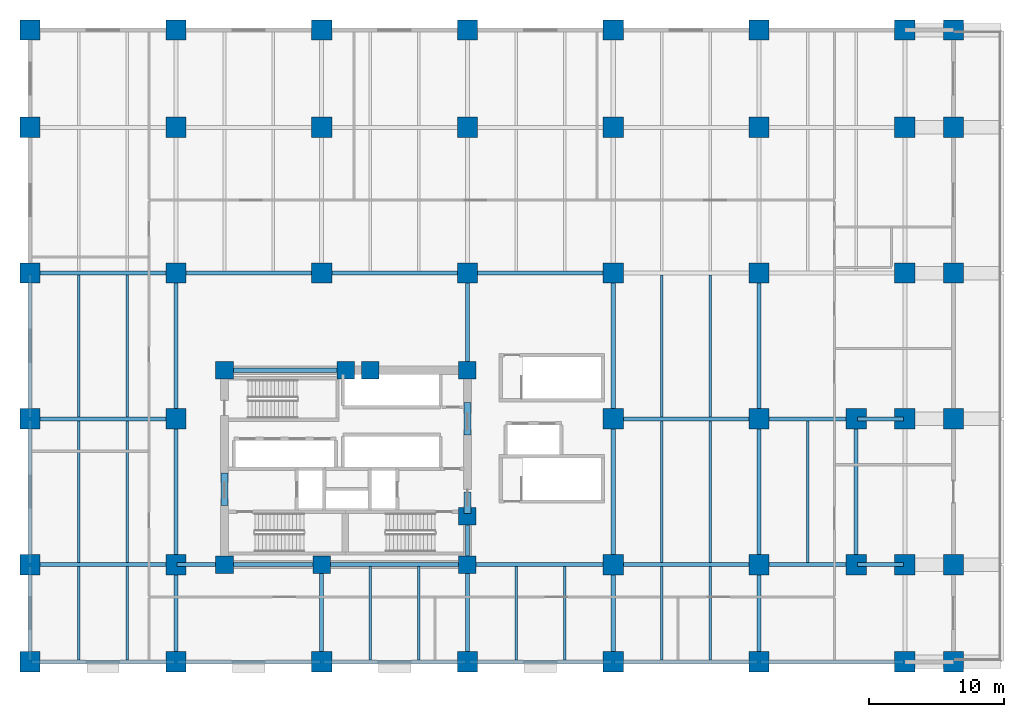
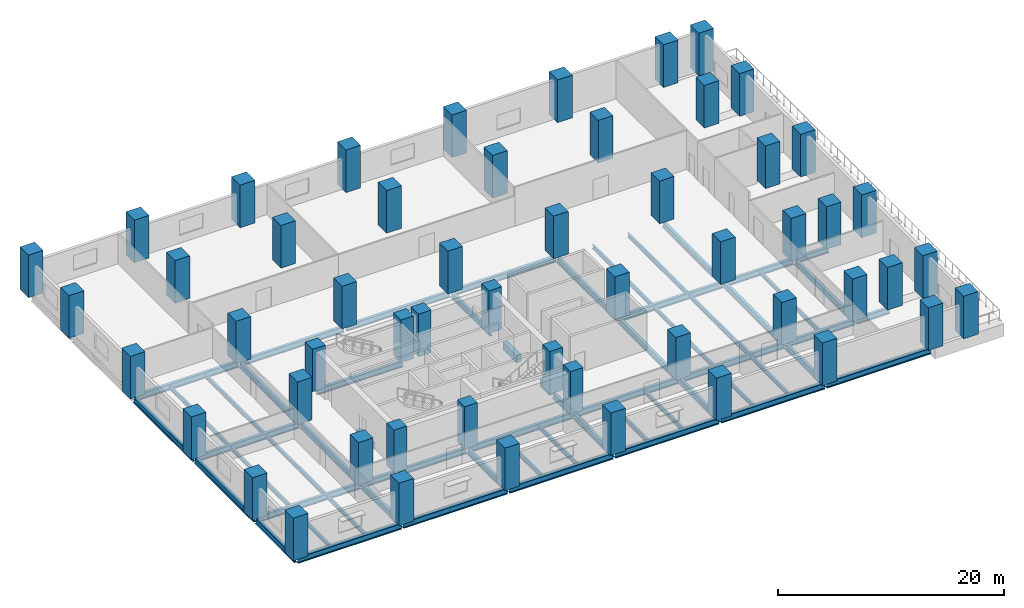
# One storey, part 1 of 8: 60 beams, 54 columns.
"""IFC4 building model written with IfcOpenShell, lengths in metres."""

from ifc_helpers import new_model, si_unit, direction, frame, origin, origin_2d, place, context, subcontext, project, spatial, rectangle, i_section, extrude, material, material_profile, profile_set, type_object, element, save


model = new_model("IFC4")

# Units and contexts
model_context = context("Model", 3, precision=1e-05, world=origin(), true_north=direction((0.0, 1.0)))
body_context = subcontext(model_context, "Body", "Model", "MODEL_VIEW")
ifc_project = project(units=[si_unit("LENGTHUNIT", "METRE"), si_unit("AREAUNIT", "SQUARE_METRE"), si_unit("VOLUMEUNIT", "CUBIC_METRE"), si_unit("PLANEANGLEUNIT", "RADIAN"), si_unit("MASSUNIT", "GRAM", prefix="KILO")], contexts=[model_context])

# Site, building, storey
site_placement = place(None, origin())
site = spatial("IfcSite", under=ifc_project, at=site_placement, CompositionType="ELEMENT")
building_placement = place(site_placement, origin())
building = spatial("IfcBuilding", under=site, at=building_placement, Name="Solnavia Interchange Tower", CompositionType="ELEMENT")
storey_placement = place(building_placement, frame((0.0, 0.0, 19.39990234375)))
storey = spatial("IfcBuildingStorey", under=building, at=storey_placement, Name="L04", CompositionType="ELEMENT", Elevation=19.39990234375)

# Columns
ifc_material_1 = material(Name="Concrete C60/75", Category="concrete")
ifc_material_profile_1 = material_profile(ifc_material_1, rectangle(XDim=1.300048828125, YDim=1.300048828125, at=origin_2d()), Name="RC 1300x1300")
ifc_profile_set_1 = profile_set([ifc_material_profile_1], Name="Concrete C60/75")
column_type_1 = type_object("IfcColumnType", Name="Col-RC-1300x1300", PredefinedType="COLUMN", material=ifc_profile_set_1)
for number, where, z_axis, x_axis, name in (
    (1, (14.39990234375, 10.800048828125, 0.0), (0.0, 0.0, 1.0), (1.0, 0.0, 0.0), "COL-L04-P13 Podium core column"),
    (2, (14.39990234375, 25.199951171875, 0.0), (0.0, 0.0, 1.0), (1.0, 0.0, 0.0), "COL-L04-P14 Podium core column"),
    (3, (21.60009765625, 10.800048828125, 0.0), (0.0, 0.0, 1.0), (1.0, 0.0, 0.0), "COL-L04-P16 Podium core column"),
    (4, (23.39990234375, 25.199951171875, 0.0), (0.0, 0.0, 1.0), (1.0, 0.0, 0.0), "COL-L04-P20 Podium core column"),
    (5, (25.199951171875, 25.199951171875, 0.0), (0.0, 0.0, 1.0), (1.0, 0.0, 0.0), "COL-L04-P21 Podium core column"),
    (6, (32.39990234375, 10.800048828125, 0.0), (0.0, 0.0, 1.0), (1.0, 0.0, 0.0), "COL-L04-P23 Podium core column"),
    (7, (32.39990234375, 14.39990234375, 0.0), (0.0, 0.0, 1.0), (1.0, 0.0, 0.0), "COL-L04-P24 Podium core column"),
    (8, (32.39990234375, 25.199951171875, 0.0), (0.0, 0.0, 1.0), (1.0, 0.0, 0.0), "COL-L04-P25 Podium core column"),
):
    element("IfcColumn", number, at=place(storey_placement, frame(where, z_axis=z_axis, x_axis=x_axis)), inside=storey, type_object=column_type_1, Name=name, PredefinedType="COLUMN", context=body_context, shape_type="SweptSolid", body=[
        extrude(rectangle(XDim=1.300048828125, YDim=1.300048828125, at=origin_2d()), origin(), (0.0, 0.0, 1.0), 4.60009765625),
    ])
ifc_material_profile_2 = material_profile(ifc_material_1, rectangle(XDim=1.5, YDim=1.5, at=origin_2d()), Name="RC 1500x1500")
ifc_profile_set_2 = profile_set([ifc_material_profile_2], Name="Concrete C60/75")
column_type_2 = type_object("IfcColumnType", Name="Col-RC-1500x1500", PredefinedType="COLUMN", material=ifc_profile_set_2)
for number, where, z_axis, x_axis, name in (
    (9, (0.0, 3.60009765625, 0.0), (0.0, 0.0, 1.0), (1.0, 0.0, 0.0), "COL-L04-P01 Podium concourse column"),
    (10, (0.0, 10.800048828125, 0.0), (0.0, 0.0, 1.0), (1.0, 0.0, 0.0), "COL-L04-P02 Podium concourse column"),
    (11, (0.0, 21.60009765625, 0.0), (0.0, 0.0, 1.0), (1.0, 0.0, 0.0), "COL-L04-P03 Podium concourse column"),
    (12, (0.0, 32.39990234375, 0.0), (0.0, 0.0, 1.0), (1.0, 0.0, 0.0), "COL-L04-P04 Podium concourse column"),
    (13, (0.0, 43.199951171875, 0.0), (0.0, 0.0, 1.0), (1.0, 0.0, 0.0), "COL-L04-P05 Podium concourse column"),
    (14, (0.0, 50.39990234375, 0.0), (0.0, 0.0, 1.0), (1.0, 0.0, 0.0), "COL-L04-P06 Podium concourse column"),
    (15, (10.800048828125, 3.60009765625, 0.0), (0.0, 0.0, 1.0), (1.0, 0.0, 0.0), "COL-L04-P07 Podium concourse column"),
    (16, (10.800048828125, 10.800048828125, 0.0), (0.0, 0.0, 1.0), (1.0, 0.0, 0.0), "COL-L04-P08 Podium concourse column"),
    (17, (10.800048828125, 21.60009765625, 0.0), (0.0, 0.0, 1.0), (1.0, 0.0, 0.0), "COL-L04-P09 Podium concourse column"),
    (18, (10.800048828125, 32.39990234375, 0.0), (0.0, 0.0, 1.0), (1.0, 0.0, 0.0), "COL-L04-P10 Podium concourse column"),
    (19, (10.800048828125, 43.199951171875, 0.0), (0.0, 0.0, 1.0), (1.0, 0.0, 0.0), "COL-L04-P11 Podium concourse column"),
    (20, (10.800048828125, 50.39990234375, 0.0), (0.0, 0.0, 1.0), (1.0, 0.0, 0.0), "COL-L04-P12 Podium concourse column"),
    (21, (21.60009765625, 3.60009765625, 0.0), (0.0, 0.0, 1.0), (1.0, 0.0, 0.0), "COL-L04-P15 Podium concourse column"),
    (22, (21.60009765625, 32.39990234375, 0.0), (0.0, 0.0, 1.0), (1.0, 0.0, 0.0), "COL-L04-P17 Podium concourse column"),
    (23, (21.60009765625, 43.199951171875, 0.0), (0.0, 0.0, 1.0), (1.0, 0.0, 0.0), "COL-L04-P18 Podium concourse column"),
    (24, (21.60009765625, 50.39990234375, 0.0), (0.0, 0.0, 1.0), (1.0, 0.0, 0.0), "COL-L04-P19 Podium concourse column"),
    (25, (32.39990234375, 3.60009765625, 0.0), (0.0, 0.0, 1.0), (1.0, 0.0, 0.0), "COL-L04-P22 Podium concourse column"),
    (26, (32.39990234375, 32.39990234375, 0.0), (0.0, 0.0, 1.0), (1.0, 0.0, 0.0), "COL-L04-P26 Podium concourse column"),
    (27, (32.39990234375, 43.199951171875, 0.0), (0.0, 0.0, 1.0), (1.0, 0.0, 0.0), "COL-L04-P27 Podium concourse column"),
    (28, (32.39990234375, 50.39990234375, 0.0), (0.0, 0.0, 1.0), (1.0, 0.0, 0.0), "COL-L04-P28 Podium concourse column"),
    (29, (43.199951171875, 3.60009765625, 0.0), (0.0, 0.0, 1.0), (1.0, 0.0, 0.0), "COL-L04-P29 Podium concourse column"),
    (30, (43.199951171875, 10.800048828125, 0.0), (0.0, 0.0, 1.0), (1.0, 0.0, 0.0), "COL-L04-P30 Podium concourse column"),
    (31, (43.199951171875, 21.60009765625, 0.0), (0.0, 0.0, 1.0), (1.0, 0.0, 0.0), "COL-L04-P31 Podium concourse column"),
    (32, (43.199951171875, 32.39990234375, 0.0), (0.0, 0.0, 1.0), (1.0, 0.0, 0.0), "COL-L04-P32 Podium concourse column"),
    (33, (43.199951171875, 43.199951171875, 0.0), (0.0, 0.0, 1.0), (1.0, 0.0, 0.0), "COL-L04-P33 Podium concourse column"),
    (34, (43.199951171875, 50.39990234375, 0.0), (0.0, 0.0, 1.0), (1.0, 0.0, 0.0), "COL-L04-P34 Podium concourse column"),
    (35, (54.0, 3.60009765625, 0.0), (0.0, 0.0, 1.0), (1.0, 0.0, 0.0), "COL-L04-P35 Podium concourse column"),
    (36, (54.0, 10.800048828125, 0.0), (0.0, 0.0, 1.0), (1.0, 0.0, 0.0), "COL-L04-P36 Podium concourse column"),
    (37, (54.0, 21.60009765625, 0.0), (0.0, 0.0, 1.0), (1.0, 0.0, 0.0), "COL-L04-P37 Podium concourse column"),
    (38, (54.0, 32.39990234375, 0.0), (0.0, 0.0, 1.0), (1.0, 0.0, 0.0), "COL-L04-P38 Podium concourse column"),
    (39, (54.0, 43.199951171875, 0.0), (0.0, 0.0, 1.0), (1.0, 0.0, 0.0), "COL-L04-P39 Podium concourse column"),
    (40, (54.0, 50.39990234375, 0.0), (0.0, 0.0, 1.0), (1.0, 0.0, 0.0), "COL-L04-P40 Podium concourse column"),
    (41, (61.199951171875, 10.800048828125, 0.0), (0.0, 0.0, 1.0), (1.0, 0.0, 0.0), "COL-L04-P41 Podium concourse column"),
    (42, (61.199951171875, 21.60009765625, 0.0), (0.0, 0.0, 1.0), (1.0, 0.0, 0.0), "COL-L04-P42 Podium concourse column"),
    (43, (64.800048828125, 3.60009765625, 0.0), (0.0, 0.0, 1.0), (1.0, 0.0, 0.0), "COL-L04-P43 Podium concourse column"),
    (44, (64.800048828125, 10.800048828125, 0.0), (0.0, 0.0, 1.0), (1.0, 0.0, 0.0), "COL-L04-P44 Podium concourse column"),
    (45, (64.800048828125, 21.60009765625, 0.0), (0.0, 0.0, 1.0), (1.0, 0.0, 0.0), "COL-L04-P45 Podium concourse column"),
    (46, (64.800048828125, 32.39990234375, 0.0), (0.0, 0.0, 1.0), (1.0, 0.0, 0.0), "COL-L04-P46 Podium concourse column"),
    (47, (64.800048828125, 43.199951171875, 0.0), (0.0, 0.0, 1.0), (1.0, 0.0, 0.0), "COL-L04-P47 Podium concourse column"),
    (48, (64.800048828125, 50.39990234375, 0.0), (0.0, 0.0, 1.0), (1.0, 0.0, 0.0), "COL-L04-P48 Podium concourse column"),
    (49, (68.39990234375, 3.60009765625, 0.0), (0.0, 0.0, 1.0), (1.0, 0.0, 0.0), "COL-L04-P49 Podium concourse column"),
    (50, (68.39990234375, 10.800048828125, 0.0), (0.0, 0.0, 1.0), (1.0, 0.0, 0.0), "COL-L04-P50 Podium concourse column"),
    (51, (68.39990234375, 21.60009765625, 0.0), (0.0, 0.0, 1.0), (1.0, 0.0, 0.0), "COL-L04-P51 Podium concourse column"),
    (52, (68.39990234375, 32.39990234375, 0.0), (0.0, 0.0, 1.0), (1.0, 0.0, 0.0), "COL-L04-P52 Podium concourse column"),
    (53, (68.39990234375, 43.199951171875, 0.0), (0.0, 0.0, 1.0), (1.0, 0.0, 0.0), "COL-L04-P53 Podium concourse column"),
    (54, (68.39990234375, 50.39990234375, 0.0), (0.0, 0.0, 1.0), (1.0, 0.0, 0.0), "COL-L04-P54 Podium concourse column"),
):
    element("IfcColumn", number, at=place(storey_placement, frame(where, z_axis=z_axis, x_axis=x_axis)), inside=storey, type_object=column_type_2, Name=name, PredefinedType="COLUMN", context=body_context, shape_type="SweptSolid", body=[
        extrude(rectangle(XDim=1.5, YDim=1.5, at=origin_2d()), origin(), (0.0, 0.0, 1.0), 4.60009765625),
    ])

# Beams
ifc_material_2 = material(Name="Concrete C50/60", Category="concrete")
ifc_material_profile_3 = material_profile(ifc_material_2, rectangle(XDim=0.5, YDim=0.800048828125, at=origin_2d()), Name="RC 500x800")
ifc_profile_set_3 = profile_set([ifc_material_profile_3], Name="Concrete C50/60")
beam_type_1 = type_object("IfcBeamType", Name="Beam-Coupling-RC500x800", PredefinedType="LINTEL", material=ifc_profile_set_3)
beam_1_placement = place(storey_placement, frame((14.39990234375, 15.199951171875, -0.39990234375), z_axis=(0.0, 1.0, 0.0), x_axis=(-1.0, 0.0, 0.0)))
element("IfcBeam", 55, at=beam_1_placement, inside=storey, type_object=beam_type_1, Name="CPB-L04-W1 Core coupling lintel beam", PredefinedType="LINTEL", context=body_context, shape_type="SweptSolid", body=[
    extrude(rectangle(XDim=0.5, YDim=0.800048828125, at=origin_2d()), origin(), (0.0, 0.0, 1.0), 2.400146484375),
])
beam_2_placement = place(storey_placement, frame((32.39990234375, 14.60009765625, -0.39990234375), z_axis=(0.0, 1.0, 0.0), x_axis=(-1.0, 0.0, 0.0)))
element("IfcBeam", 56, at=beam_2_placement, inside=storey, type_object=beam_type_1, Name="CPB-L04-E1 Core coupling lintel beam", PredefinedType="LINTEL", context=body_context, shape_type="SweptSolid", body=[
    extrude(rectangle(XDim=0.5, YDim=0.800048828125, at=origin_2d()), origin(), (0.0, 0.0, 1.0), 1.599853515625),
])
beam_3_placement = place(storey_placement, frame((32.39990234375, 20.39990234375, -0.39990234375), z_axis=(0.0, 1.0, 0.0), x_axis=(-1.0, 0.0, 0.0)))
element("IfcBeam", 57, at=beam_3_placement, inside=storey, type_object=beam_type_1, Name="CPB-L04-E2 Core coupling lintel beam", PredefinedType="LINTEL", context=body_context, shape_type="SweptSolid", body=[
    extrude(rectangle(XDim=0.5, YDim=0.800048828125, at=origin_2d()), origin(), (0.0, 0.0, 1.0), 2.400146484375),
])
ifc_material_3 = material(Name="Steel S460", Category="steel")
ifc_material_profile_4 = material_profile(ifc_material_3, i_section(OverallWidth=0.300048828125, OverallDepth=0.64990234375, WebThickness=0.01611328125, FlangeThickness=0.031005859375, FilletRadius=0.027099609375, at=origin_2d()), Name="HEB 650")
ifc_profile_set_4 = profile_set([ifc_material_profile_4], Name="Steel S460")
beam_type_2 = type_object("IfcBeamType", Name="Beam-Girder-HEB650", PredefinedType="BEAM", material=ifc_profile_set_4)
beam_4_placement = place(storey_placement, frame((0.10009765625, 3.60009765625, -0.625), z_axis=(1.0, 0.0, 0.0), x_axis=(0.0, 1.0, 0.0)))
element("IfcBeam", 58, at=beam_4_placement, inside=storey, type_object=beam_type_2, Name="GRD-L04-01 Podium primary girder", PredefinedType="BEAM", context=body_context, shape_type="SweptSolid", body=[
    extrude(i_section(OverallWidth=0.300048828125, OverallDepth=0.64990234375, WebThickness=0.01611328125, FlangeThickness=0.031005859375, FilletRadius=0.027099609375, at=origin_2d()), origin(), (0.0, 0.0, 1.0), 10.599853515625),
])
for number, where, z_axis, x_axis, name in (
    (59, (10.89990234375, 3.60009765625, -0.625), (1.0, 0.0, 0.0), (0.0, 1.0, 0.0), "GRD-L04-02 Podium primary girder"),
    (60, (21.699951171875, 3.60009765625, -0.625), (1.0, 0.0, 0.0), (0.0, 1.0, 0.0), "GRD-L04-03 Podium primary girder"),
    (61, (32.5, 3.60009765625, -0.625), (1.0, 0.0, 0.0), (0.0, 1.0, 0.0), "GRD-L04-04 Podium primary girder"),
):
    element("IfcBeam", number, at=place(storey_placement, frame(where, z_axis=z_axis, x_axis=x_axis)), inside=storey, type_object=beam_type_2, Name=name, PredefinedType="BEAM", context=body_context, shape_type="SweptSolid", body=[
        extrude(i_section(OverallWidth=0.300048828125, OverallDepth=0.64990234375, WebThickness=0.01611328125, FlangeThickness=0.031005859375, FilletRadius=0.027099609375, at=origin_2d()), origin(), (0.0, 0.0, 1.0), 10.60009765625),
    ])
for number, where, z_axis, x_axis, name in (
    (62, (43.300048828125, 3.60009765625, -0.625), (1.0, 0.0, 0.0), (0.0, 1.0, 0.0), "GRD-L04-05 Podium primary girder"),
    (63, (54.10009765625, 3.60009765625, -0.625), (1.0, 0.0, 0.0), (0.0, 1.0, 0.0), "GRD-L04-06 Podium primary girder"),
    (64, (0.10009765625, 10.800048828125, -0.625), (1.0, 0.0, 0.0), (0.0, 1.0, 0.0), "GRD-L04-07 Podium primary girder"),
):
    element("IfcBeam", number, at=place(storey_placement, frame(where, z_axis=z_axis, x_axis=x_axis)), inside=storey, type_object=beam_type_2, Name=name, PredefinedType="BEAM", context=body_context, shape_type="SweptSolid", body=[
        extrude(i_section(OverallWidth=0.300048828125, OverallDepth=0.64990234375, WebThickness=0.01611328125, FlangeThickness=0.031005859375, FilletRadius=0.027099609375, at=origin_2d()), origin(), (0.0, 0.0, 1.0), 10.599853515625),
    ])
beam_5_placement = place(storey_placement, frame((10.89990234375, 10.800048828125, -0.625), z_axis=(1.0, 0.0, 0.0), x_axis=(0.0, 1.0, 0.0)))
element("IfcBeam", 65, at=beam_5_placement, inside=storey, type_object=beam_type_2, Name="GRD-L04-08 Podium primary girder", PredefinedType="BEAM", context=body_context, shape_type="SweptSolid", body=[
    extrude(i_section(OverallWidth=0.300048828125, OverallDepth=0.64990234375, WebThickness=0.01611328125, FlangeThickness=0.031005859375, FilletRadius=0.027099609375, at=origin_2d()), origin(), (0.0, 0.0, 1.0), 3.400146484375),
])
beam_6_placement = place(storey_placement, frame((14.5, 10.800048828125, -0.625), z_axis=(1.0, 0.0, 0.0), x_axis=(0.0, 1.0, 0.0)))
element("IfcBeam", 66, at=beam_6_placement, inside=storey, type_object=beam_type_2, Name="GRD-L04-09 Podium primary girder", PredefinedType="BEAM", context=body_context, shape_type="SweptSolid", body=[
    extrude(i_section(OverallWidth=0.300048828125, OverallDepth=0.64990234375, WebThickness=0.01611328125, FlangeThickness=0.031005859375, FilletRadius=0.027099609375, at=origin_2d()), origin(), (0.0, 0.0, 1.0), 7.0),
])
for number, where, z_axis, x_axis, name in (
    (67, (21.699951171875, 10.800048828125, -0.625), (1.0, 0.0, 0.0), (0.0, 1.0, 0.0), "GRD-L04-10 Podium primary girder"),
    (68, (32.5, 10.800048828125, -0.625), (1.0, 0.0, 0.0), (0.0, 1.0, 0.0), "GRD-L04-11 Podium primary girder"),
):
    element("IfcBeam", number, at=place(storey_placement, frame(where, z_axis=z_axis, x_axis=x_axis)), inside=storey, type_object=beam_type_2, Name=name, PredefinedType="BEAM", context=body_context, shape_type="SweptSolid", body=[
        extrude(i_section(OverallWidth=0.300048828125, OverallDepth=0.64990234375, WebThickness=0.01611328125, FlangeThickness=0.031005859375, FilletRadius=0.027099609375, at=origin_2d()), origin(), (0.0, 0.0, 1.0), 10.60009765625),
    ])
beam_7_placement = place(storey_placement, frame((43.300048828125, 10.800048828125, -0.625), z_axis=(1.0, 0.0, 0.0), x_axis=(0.0, 1.0, 0.0)))
element("IfcBeam", 69, at=beam_7_placement, inside=storey, type_object=beam_type_2, Name="GRD-L04-12 Podium primary girder", PredefinedType="BEAM", context=body_context, shape_type="SweptSolid", body=[
    extrude(i_section(OverallWidth=0.300048828125, OverallDepth=0.64990234375, WebThickness=0.01611328125, FlangeThickness=0.031005859375, FilletRadius=0.027099609375, at=origin_2d()), origin(), (0.0, 0.0, 1.0), 10.599853515625),
])
beam_8_placement = place(storey_placement, frame((54.10009765625, 10.800048828125, -0.625), z_axis=(1.0, 0.0, 0.0), x_axis=(0.0, 1.0, 0.0)))
element("IfcBeam", 70, at=beam_8_placement, inside=storey, type_object=beam_type_2, Name="GRD-L04-13 Podium primary girder", PredefinedType="BEAM", context=body_context, shape_type="SweptSolid", body=[
    extrude(i_section(OverallWidth=0.300048828125, OverallDepth=0.64990234375, WebThickness=0.01611328125, FlangeThickness=0.031005859375, FilletRadius=0.027099609375, at=origin_2d()), origin(), (0.0, 0.0, 1.0), 7.0),
])
beam_9_placement = place(storey_placement, frame((61.300048828125, 10.800048828125, -0.625), z_axis=(1.0, 0.0, 0.0), x_axis=(0.0, 1.0, 0.0)))
element("IfcBeam", 71, at=beam_9_placement, inside=storey, type_object=beam_type_2, Name="GRD-L04-14 Podium primary girder", PredefinedType="BEAM", context=body_context, shape_type="SweptSolid", body=[
    extrude(i_section(OverallWidth=0.300048828125, OverallDepth=0.64990234375, WebThickness=0.01611328125, FlangeThickness=0.031005859375, FilletRadius=0.027099609375, at=origin_2d()), origin(), (0.0, 0.0, 1.0), 3.39990234375),
])
for number, where, z_axis, x_axis, name in (
    (72, (0.10009765625, 21.60009765625, -0.625), (1.0, 0.0, 0.0), (0.0, 1.0, 0.0), "GRD-L04-15 Podium primary girder"),
    (73, (43.300048828125, 21.60009765625, -0.625), (1.0, 0.0, 0.0), (0.0, 1.0, 0.0), "GRD-L04-16 Podium primary girder"),
):
    element("IfcBeam", number, at=place(storey_placement, frame(where, z_axis=z_axis, x_axis=x_axis)), inside=storey, type_object=beam_type_2, Name=name, PredefinedType="BEAM", context=body_context, shape_type="SweptSolid", body=[
        extrude(i_section(OverallWidth=0.300048828125, OverallDepth=0.64990234375, WebThickness=0.01611328125, FlangeThickness=0.031005859375, FilletRadius=0.027099609375, at=origin_2d()), origin(), (0.0, 0.0, 1.0), 10.599853515625),
    ])
beam_10_placement = place(storey_placement, frame((54.10009765625, 21.60009765625, -0.625), z_axis=(1.0, 0.0, 0.0), x_axis=(0.0, 1.0, 0.0)))
element("IfcBeam", 74, at=beam_10_placement, inside=storey, type_object=beam_type_2, Name="GRD-L04-17 Podium primary girder", PredefinedType="BEAM", context=body_context, shape_type="SweptSolid", body=[
    extrude(i_section(OverallWidth=0.300048828125, OverallDepth=0.64990234375, WebThickness=0.01611328125, FlangeThickness=0.031005859375, FilletRadius=0.027099609375, at=origin_2d()), origin(), (0.0, 0.0, 1.0), 7.0),
])
beam_11_placement = place(storey_placement, frame((61.300048828125, 21.60009765625, -0.625), z_axis=(1.0, 0.0, 0.0), x_axis=(0.0, 1.0, 0.0)))
element("IfcBeam", 75, at=beam_11_placement, inside=storey, type_object=beam_type_2, Name="GRD-L04-18 Podium primary girder", PredefinedType="BEAM", context=body_context, shape_type="SweptSolid", body=[
    extrude(i_section(OverallWidth=0.300048828125, OverallDepth=0.64990234375, WebThickness=0.01611328125, FlangeThickness=0.031005859375, FilletRadius=0.027099609375, at=origin_2d()), origin(), (0.0, 0.0, 1.0), 3.39990234375),
])
beam_12_placement = place(storey_placement, frame((14.5, 25.199951171875, -0.625), z_axis=(1.0, 0.0, 0.0), x_axis=(0.0, 1.0, 0.0)))
element("IfcBeam", 76, at=beam_12_placement, inside=storey, type_object=beam_type_2, Name="GRD-L04-19 Podium primary girder", PredefinedType="BEAM", context=body_context, shape_type="SweptSolid", body=[
    extrude(i_section(OverallWidth=0.300048828125, OverallDepth=0.64990234375, WebThickness=0.01611328125, FlangeThickness=0.031005859375, FilletRadius=0.027099609375, at=origin_2d()), origin(), (0.0, 0.0, 1.0), 8.800048828125),
])
beam_13_placement = place(storey_placement, frame((0.10009765625, 32.39990234375, -0.625), z_axis=(1.0, 0.0, 0.0), x_axis=(0.0, 1.0, 0.0)))
element("IfcBeam", 77, at=beam_13_placement, inside=storey, type_object=beam_type_2, Name="GRD-L04-20 Podium primary girder", PredefinedType="BEAM", context=body_context, shape_type="SweptSolid", body=[
    extrude(i_section(OverallWidth=0.300048828125, OverallDepth=0.64990234375, WebThickness=0.01611328125, FlangeThickness=0.031005859375, FilletRadius=0.027099609375, at=origin_2d()), origin(), (0.0, 0.0, 1.0), 10.599853515625),
])
for number, where, z_axis, x_axis, name in (
    (78, (10.89990234375, 32.39990234375, -0.625), (1.0, 0.0, 0.0), (0.0, 1.0, 0.0), "GRD-L04-21 Podium primary girder"),
    (79, (21.699951171875, 32.39990234375, -0.625), (1.0, 0.0, 0.0), (0.0, 1.0, 0.0), "GRD-L04-22 Podium primary girder"),
    (80, (32.5, 32.39990234375, -0.625), (1.0, 0.0, 0.0), (0.0, 1.0, 0.0), "GRD-L04-23 Podium primary girder"),
):
    element("IfcBeam", number, at=place(storey_placement, frame(where, z_axis=z_axis, x_axis=x_axis)), inside=storey, type_object=beam_type_2, Name=name, PredefinedType="BEAM", context=body_context, shape_type="SweptSolid", body=[
        extrude(i_section(OverallWidth=0.300048828125, OverallDepth=0.64990234375, WebThickness=0.01611328125, FlangeThickness=0.031005859375, FilletRadius=0.027099609375, at=origin_2d()), origin(), (0.0, 0.0, 1.0), 10.60009765625),
    ])
beam_14_placement = place(storey_placement, frame((0.0, 3.699951171875, -0.625), z_axis=(0.0, 1.0, 0.0), x_axis=(-1.0, 0.0, 0.0)))
element("IfcBeam", 81, at=beam_14_placement, inside=storey, type_object=beam_type_2, Name="GRD-L04-38 Podium primary girder", PredefinedType="BEAM", context=body_context, shape_type="SweptSolid", body=[
    extrude(i_section(OverallWidth=0.300048828125, OverallDepth=0.64990234375, WebThickness=0.01611328125, FlangeThickness=0.031005859375, FilletRadius=0.027099609375, at=origin_2d()), origin(), (0.0, 0.0, 1.0), 7.0),
])
for number, where, z_axis, x_axis, name in (
    (82, (0.0, 10.89990234375, -0.625), (0.0, 1.0, 0.0), (-1.0, 0.0, 0.0), "GRD-L04-39 Podium primary girder"),
    (83, (0.0, 21.699951171875, -0.625), (0.0, 1.0, 0.0), (-1.0, 0.0, 0.0), "GRD-L04-40 Podium primary girder"),
):
    element("IfcBeam", number, at=place(storey_placement, frame(where, z_axis=z_axis, x_axis=x_axis)), inside=storey, type_object=beam_type_2, Name=name, PredefinedType="BEAM", context=body_context, shape_type="SweptSolid", body=[
        extrude(i_section(OverallWidth=0.300048828125, OverallDepth=0.64990234375, WebThickness=0.01611328125, FlangeThickness=0.031005859375, FilletRadius=0.027099609375, at=origin_2d()), origin(), (0.0, 0.0, 1.0), 10.60009765625),
    ])
beam_15_placement = place(storey_placement, frame((10.800048828125, 3.699951171875, -0.625), z_axis=(0.0, 1.0, 0.0), x_axis=(-1.0, 0.0, 0.0)))
element("IfcBeam", 84, at=beam_15_placement, inside=storey, type_object=beam_type_2, Name="GRD-L04-43 Podium primary girder", PredefinedType="BEAM", context=body_context, shape_type="SweptSolid", body=[
    extrude(i_section(OverallWidth=0.300048828125, OverallDepth=0.64990234375, WebThickness=0.01611328125, FlangeThickness=0.031005859375, FilletRadius=0.027099609375, at=origin_2d()), origin(), (0.0, 0.0, 1.0), 7.0),
])
for number, where, z_axis, x_axis, name in (
    (85, (10.800048828125, 10.89990234375, -0.625), (0.0, 1.0, 0.0), (-1.0, 0.0, 0.0), "GRD-L04-44 Podium primary girder"),
    (86, (10.800048828125, 21.699951171875, -0.625), (0.0, 1.0, 0.0), (-1.0, 0.0, 0.0), "GRD-L04-45 Podium primary girder"),
):
    element("IfcBeam", number, at=place(storey_placement, frame(where, z_axis=z_axis, x_axis=x_axis)), inside=storey, type_object=beam_type_2, Name=name, PredefinedType="BEAM", context=body_context, shape_type="SweptSolid", body=[
        extrude(i_section(OverallWidth=0.300048828125, OverallDepth=0.64990234375, WebThickness=0.01611328125, FlangeThickness=0.031005859375, FilletRadius=0.027099609375, at=origin_2d()), origin(), (0.0, 0.0, 1.0), 10.60009765625),
    ])
for number, where, z_axis, x_axis, name in (
    (87, (21.60009765625, 3.699951171875, -0.625), (0.0, 1.0, 0.0), (-1.0, 0.0, 0.0), "GRD-L04-48 Podium primary girder"),
    (88, (32.39990234375, 3.699951171875, -0.625), (0.0, 1.0, 0.0), (-1.0, 0.0, 0.0), "GRD-L04-51 Podium primary girder"),
):
    element("IfcBeam", number, at=place(storey_placement, frame(where, z_axis=z_axis, x_axis=x_axis)), inside=storey, type_object=beam_type_2, Name=name, PredefinedType="BEAM", context=body_context, shape_type="SweptSolid", body=[
        extrude(i_section(OverallWidth=0.300048828125, OverallDepth=0.64990234375, WebThickness=0.01611328125, FlangeThickness=0.031005859375, FilletRadius=0.027099609375, at=origin_2d()), origin(), (0.0, 0.0, 1.0), 7.0),
    ])
beam_16_placement = place(storey_placement, frame((32.39990234375, 10.89990234375, -0.625), z_axis=(0.0, 1.0, 0.0), x_axis=(-1.0, 0.0, 0.0)))
element("IfcBeam", 89, at=beam_16_placement, inside=storey, type_object=beam_type_2, Name="GRD-L04-52 Podium primary girder", PredefinedType="BEAM", context=body_context, shape_type="SweptSolid", body=[
    extrude(i_section(OverallWidth=0.300048828125, OverallDepth=0.64990234375, WebThickness=0.01611328125, FlangeThickness=0.031005859375, FilletRadius=0.027099609375, at=origin_2d()), origin(), (0.0, 0.0, 1.0), 3.400146484375),
])
for number, where, z_axis, x_axis, name in (
    (90, (32.39990234375, 25.300048828125, -0.625), (0.0, 1.0, 0.0), (-1.0, 0.0, 0.0), "GRD-L04-53 Podium primary girder"),
    (91, (43.199951171875, 3.699951171875, -0.625), (0.0, 1.0, 0.0), (-1.0, 0.0, 0.0), "GRD-L04-56 Podium primary girder"),
):
    element("IfcBeam", number, at=place(storey_placement, frame(where, z_axis=z_axis, x_axis=x_axis)), inside=storey, type_object=beam_type_2, Name=name, PredefinedType="BEAM", context=body_context, shape_type="SweptSolid", body=[
        extrude(i_section(OverallWidth=0.300048828125, OverallDepth=0.64990234375, WebThickness=0.01611328125, FlangeThickness=0.031005859375, FilletRadius=0.027099609375, at=origin_2d()), origin(), (0.0, 0.0, 1.0), 7.0),
    ])
for number, where, z_axis, x_axis, name in (
    (92, (43.199951171875, 10.89990234375, -0.625), (0.0, 1.0, 0.0), (-1.0, 0.0, 0.0), "GRD-L04-57 Podium primary girder"),
    (93, (43.199951171875, 21.699951171875, -0.625), (0.0, 1.0, 0.0), (-1.0, 0.0, 0.0), "GRD-L04-58 Podium primary girder"),
):
    element("IfcBeam", number, at=place(storey_placement, frame(where, z_axis=z_axis, x_axis=x_axis)), inside=storey, type_object=beam_type_2, Name=name, PredefinedType="BEAM", context=body_context, shape_type="SweptSolid", body=[
        extrude(i_section(OverallWidth=0.300048828125, OverallDepth=0.64990234375, WebThickness=0.01611328125, FlangeThickness=0.031005859375, FilletRadius=0.027099609375, at=origin_2d()), origin(), (0.0, 0.0, 1.0), 10.60009765625),
    ])
beam_17_placement = place(storey_placement, frame((54.0, 3.699951171875, -0.625), z_axis=(0.0, 1.0, 0.0), x_axis=(-1.0, 0.0, 0.0)))
element("IfcBeam", 94, at=beam_17_placement, inside=storey, type_object=beam_type_2, Name="GRD-L04-61 Podium primary girder", PredefinedType="BEAM", context=body_context, shape_type="SweptSolid", body=[
    extrude(i_section(OverallWidth=0.300048828125, OverallDepth=0.64990234375, WebThickness=0.01611328125, FlangeThickness=0.031005859375, FilletRadius=0.027099609375, at=origin_2d()), origin(), (0.0, 0.0, 1.0), 7.0),
])
for number, where, z_axis, x_axis, name in (
    (95, (54.0, 10.89990234375, -0.625), (0.0, 1.0, 0.0), (-1.0, 0.0, 0.0), "GRD-L04-62 Podium primary girder"),
    (96, (54.0, 21.699951171875, -0.625), (0.0, 1.0, 0.0), (-1.0, 0.0, 0.0), "GRD-L04-63 Podium primary girder"),
    (97, (61.199951171875, 10.89990234375, -0.625), (0.0, 1.0, 0.0), (-1.0, 0.0, 0.0), "GRD-L04-66 Podium primary girder"),
):
    element("IfcBeam", number, at=place(storey_placement, frame(where, z_axis=z_axis, x_axis=x_axis)), inside=storey, type_object=beam_type_2, Name=name, PredefinedType="BEAM", context=body_context, shape_type="SweptSolid", body=[
        extrude(i_section(OverallWidth=0.300048828125, OverallDepth=0.64990234375, WebThickness=0.01611328125, FlangeThickness=0.031005859375, FilletRadius=0.027099609375, at=origin_2d()), origin(), (0.0, 0.0, 1.0), 10.60009765625),
    ])
ifc_material_4 = material(Name="Steel S355", Category="steel")
ifc_material_profile_5 = material_profile(ifc_material_4, i_section(OverallWidth=0.18994140625, OverallDepth=0.449951171875, WebThickness=0.009521484375, FlangeThickness=0.0146484375, FilletRadius=0.02099609375, at=origin_2d()), Name="IPE 450")
ifc_profile_set_5 = profile_set([ifc_material_profile_5], Name="Steel S355")
beam_type_3 = type_object("IfcBeamType", Name="Beam-Joist-IPE450", PredefinedType="JOIST", material=ifc_profile_set_5)
beam_18_placement = place(storey_placement, frame((3.60009765625, 3.75, -0.52490234375), z_axis=(0.0, 1.0, 0.0), x_axis=(-1.0, 0.0, 0.0)))
element("IfcBeam", 98, at=beam_18_placement, inside=storey, type_object=beam_type_3, Name="JST-L04-01 Podium composite floor joist", PredefinedType="JOIST", context=body_context, shape_type="SweptSolid", body=[
    extrude(i_section(OverallWidth=0.18994140625, OverallDepth=0.449951171875, WebThickness=0.009521484375, FlangeThickness=0.0146484375, FilletRadius=0.02099609375, at=origin_2d()), origin(), (0.0, 0.0, 1.0), 6.89990234375),
])
for number, where, z_axis, x_axis, name in (
    (99, (3.60009765625, 10.949951171875, -0.52490234375), (0.0, 1.0, 0.0), (-1.0, 0.0, 0.0), "JST-L04-02 Podium composite floor joist"),
    (100, (3.60009765625, 21.75, -0.52490234375), (0.0, 1.0, 0.0), (-1.0, 0.0, 0.0), "JST-L04-03 Podium composite floor joist"),
):
    element("IfcBeam", number, at=place(storey_placement, frame(where, z_axis=z_axis, x_axis=x_axis)), inside=storey, type_object=beam_type_3, Name=name, PredefinedType="JOIST", context=body_context, shape_type="SweptSolid", body=[
        extrude(i_section(OverallWidth=0.18994140625, OverallDepth=0.449951171875, WebThickness=0.009521484375, FlangeThickness=0.0146484375, FilletRadius=0.02099609375, at=origin_2d()), origin(), (0.0, 0.0, 1.0), 10.5),
    ])
beam_19_placement = place(storey_placement, frame((7.199951171875, 3.75, -0.52490234375), z_axis=(0.0, 1.0, 0.0), x_axis=(-1.0, 0.0, 0.0)))
element("IfcBeam", 101, at=beam_19_placement, inside=storey, type_object=beam_type_3, Name="JST-L04-06 Podium composite floor joist", PredefinedType="JOIST", context=body_context, shape_type="SweptSolid", body=[
    extrude(i_section(OverallWidth=0.18994140625, OverallDepth=0.449951171875, WebThickness=0.009521484375, FlangeThickness=0.0146484375, FilletRadius=0.02099609375, at=origin_2d()), origin(), (0.0, 0.0, 1.0), 6.89990234375),
])
for number, where, z_axis, x_axis, name in (
    (102, (7.199951171875, 10.949951171875, -0.52490234375), (0.0, 1.0, 0.0), (-1.0, 0.0, 0.0), "JST-L04-07 Podium composite floor joist"),
    (103, (7.199951171875, 21.75, -0.52490234375), (0.0, 1.0, 0.0), (-1.0, 0.0, 0.0), "JST-L04-08 Podium composite floor joist"),
):
    element("IfcBeam", number, at=place(storey_placement, frame(where, z_axis=z_axis, x_axis=x_axis)), inside=storey, type_object=beam_type_3, Name=name, PredefinedType="JOIST", context=body_context, shape_type="SweptSolid", body=[
        extrude(i_section(OverallWidth=0.18994140625, OverallDepth=0.449951171875, WebThickness=0.009521484375, FlangeThickness=0.0146484375, FilletRadius=0.02099609375, at=origin_2d()), origin(), (0.0, 0.0, 1.0), 10.5),
    ])
for number, where, z_axis, x_axis, name in (
    (104, (25.199951171875, 3.75, -0.52490234375), (0.0, 1.0, 0.0), (-1.0, 0.0, 0.0), "JST-L04-15 Podium composite floor joist"),
    (105, (28.800048828125, 3.75, -0.52490234375), (0.0, 1.0, 0.0), (-1.0, 0.0, 0.0), "JST-L04-18 Podium composite floor joist"),
    (106, (36.0, 3.75, -0.52490234375), (0.0, 1.0, 0.0), (-1.0, 0.0, 0.0), "JST-L04-21 Podium composite floor joist"),
    (107, (39.60009765625, 3.75, -0.52490234375), (0.0, 1.0, 0.0), (-1.0, 0.0, 0.0), "JST-L04-24 Podium composite floor joist"),
    (108, (46.800048828125, 3.75, -0.52490234375), (0.0, 1.0, 0.0), (-1.0, 0.0, 0.0), "JST-L04-27 Podium composite floor joist"),
):
    element("IfcBeam", number, at=place(storey_placement, frame(where, z_axis=z_axis, x_axis=x_axis)), inside=storey, type_object=beam_type_3, Name=name, PredefinedType="JOIST", context=body_context, shape_type="SweptSolid", body=[
        extrude(i_section(OverallWidth=0.18994140625, OverallDepth=0.449951171875, WebThickness=0.009521484375, FlangeThickness=0.0146484375, FilletRadius=0.02099609375, at=origin_2d()), origin(), (0.0, 0.0, 1.0), 6.89990234375),
    ])
for number, where, z_axis, x_axis, name in (
    (109, (46.800048828125, 10.949951171875, -0.52490234375), (0.0, 1.0, 0.0), (-1.0, 0.0, 0.0), "JST-L04-28 Podium composite floor joist"),
    (110, (46.800048828125, 21.75, -0.52490234375), (0.0, 1.0, 0.0), (-1.0, 0.0, 0.0), "JST-L04-29 Podium composite floor joist"),
):
    element("IfcBeam", number, at=place(storey_placement, frame(where, z_axis=z_axis, x_axis=x_axis)), inside=storey, type_object=beam_type_3, Name=name, PredefinedType="JOIST", context=body_context, shape_type="SweptSolid", body=[
        extrude(i_section(OverallWidth=0.18994140625, OverallDepth=0.449951171875, WebThickness=0.009521484375, FlangeThickness=0.0146484375, FilletRadius=0.02099609375, at=origin_2d()), origin(), (0.0, 0.0, 1.0), 10.5),
    ])
beam_20_placement = place(storey_placement, frame((50.39990234375, 3.75, -0.52490234375), z_axis=(0.0, 1.0, 0.0), x_axis=(-1.0, 0.0, 0.0)))
element("IfcBeam", 111, at=beam_20_placement, inside=storey, type_object=beam_type_3, Name="JST-L04-32 Podium composite floor joist", PredefinedType="JOIST", context=body_context, shape_type="SweptSolid", body=[
    extrude(i_section(OverallWidth=0.18994140625, OverallDepth=0.449951171875, WebThickness=0.009521484375, FlangeThickness=0.0146484375, FilletRadius=0.02099609375, at=origin_2d()), origin(), (0.0, 0.0, 1.0), 6.89990234375),
])
for number, where, z_axis, x_axis, name in (
    (112, (50.39990234375, 10.949951171875, -0.52490234375), (0.0, 1.0, 0.0), (-1.0, 0.0, 0.0), "JST-L04-33 Podium composite floor joist"),
    (113, (50.39990234375, 21.75, -0.52490234375), (0.0, 1.0, 0.0), (-1.0, 0.0, 0.0), "JST-L04-34 Podium composite floor joist"),
    (114, (57.60009765625, 10.949951171875, -0.52490234375), (0.0, 1.0, 0.0), (-1.0, 0.0, 0.0), "JST-L04-37 Podium composite floor joist"),
):
    element("IfcBeam", number, at=place(storey_placement, frame(where, z_axis=z_axis, x_axis=x_axis)), inside=storey, type_object=beam_type_3, Name=name, PredefinedType="JOIST", context=body_context, shape_type="SweptSolid", body=[
        extrude(i_section(OverallWidth=0.18994140625, OverallDepth=0.449951171875, WebThickness=0.009521484375, FlangeThickness=0.0146484375, FilletRadius=0.02099609375, at=origin_2d()), origin(), (0.0, 0.0, 1.0), 10.5),
    ])

save(model, "model.ifc")
